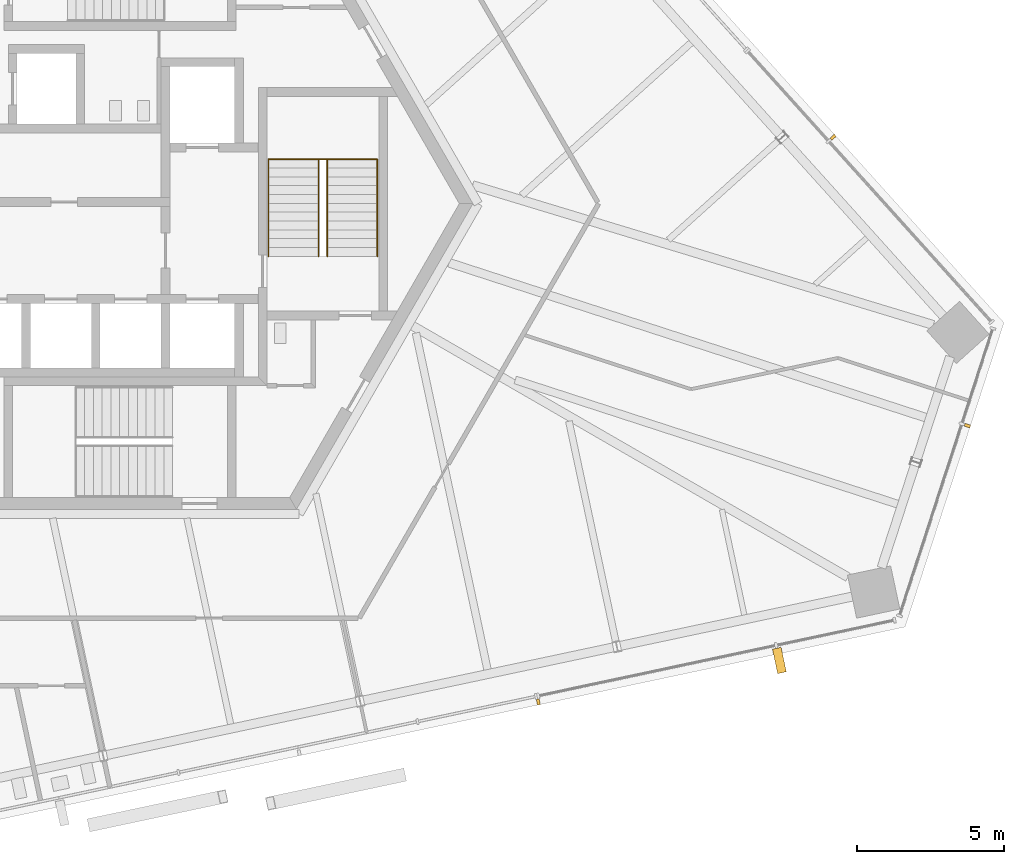
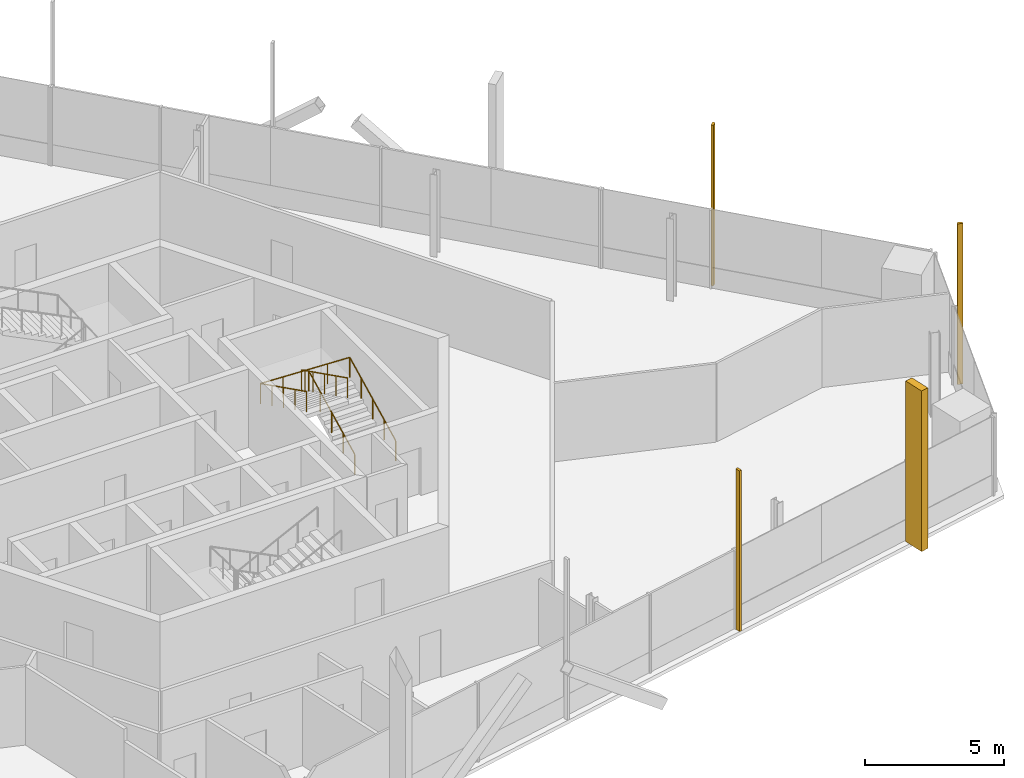
# One storey, part 15 of 17: 4 shading devices, 2 railings.
"""IFC4 building model written with IfcOpenShell, lengths in metres."""

from ifc_helpers import new_model, si_unit, direction, frame, origin, origin_2d, place, context, subcontext, project, spatial, rectangle, circle, extrude, source, transform, mapped, material, type_object, element, save


model = new_model("IFC4")

# Units and contexts
model_context = context("Model", 3, precision=1e-05, world=origin(), true_north=direction((0.0, 1.0)))
body_context = subcontext(model_context, "Body", "Model", "MODEL_VIEW")
ifc_project = project(units=[si_unit("LENGTHUNIT", "METRE"), si_unit("AREAUNIT", "SQUARE_METRE"), si_unit("VOLUMEUNIT", "CUBIC_METRE"), si_unit("PLANEANGLEUNIT", "RADIAN"), si_unit("MASSUNIT", "GRAM", prefix="KILO")], contexts=[model_context])

# Site, building, storey
site_placement = place(None, origin())
site = spatial("IfcSite", under=ifc_project, at=site_placement, CompositionType="ELEMENT")
building_placement = place(site_placement, origin())
building = spatial("IfcBuilding", under=site, at=building_placement, Name="Triune Harvest Tower", CompositionType="ELEMENT")
storey_placement = place(building_placement, frame((0.0, 0.0, 273.89990234375)))
storey = spatial("IfcBuildingStorey", under=building, at=storey_placement, Name="L72", CompositionType="ELEMENT", Elevation=273.89990234375)

# Railings
ifc_material_1 = material(Name="Stainless steel AISI 316", Category="steel")
railing_type = type_object("IfcRailingType", Name="Stair handrail", PredefinedType="HANDRAIL", material=ifc_material_1)
shared_shape_1 = source(origin(), body_context, "Body", "SweptSolid", [
    extrude(circle(Radius=0.02392578125, at=origin_2d()), frame((0.0, 0.0, 0.8759765625), z_axis=(0.0, 0.894440424912, 0.447187126696), x_axis=(-1.0, 0.0, 0.0)), (0.0, 0.0, 1.0), 3.689453125),
    extrude(circle(Radius=0.02392578125, at=origin_2d()), frame((0.0, 3.300048828125, 2.52587890625), z_axis=(-0.999177620331, 0.0, 0.040547293732), x_axis=(0.0, -1.0, 0.0)), (0.0, 0.0, 1.0), 3.702880859375),
    extrude(circle(Radius=0.02392578125, at=origin_2d()), frame((-3.699951171875, 3.300048828125, 2.67578125), z_axis=(0.0, -0.894440424912, 0.447187126696), x_axis=(1.0, 0.0, 0.0)), (0.0, 0.0, 1.0), 3.689453125),
    extrude(circle(Radius=0.02099609375, at=origin_2d()), origin(), (0.0, 0.0, 1.0), 0.851806640625),
    extrude(circle(Radius=0.02099609375, at=origin_2d()), frame((0.0, 0.824951171875, 0.41259765625)), (0.0, 0.0, 1.0), 0.851806640625),
    extrude(circle(Radius=0.02099609375, at=origin_2d()), frame((0.0, 1.64990234375, 0.824951171875)), (0.0, 0.0, 1.0), 0.851806640625),
    extrude(circle(Radius=0.02099609375, at=origin_2d()), frame((0.0, 2.47509765625, 1.2373046875)), (0.0, 0.0, 1.0), 0.851806640625),
    extrude(circle(Radius=0.02099609375, at=origin_2d()), frame((0.0, 3.300048828125, 1.64990234375)), (0.0, 0.0, 1.0), 0.851806640625),
    extrude(circle(Radius=0.02099609375, at=origin_2d()), frame((-0.925048828125, 3.300048828125, 1.6875)), (0.0, 0.0, 1.0), 0.851806640625),
    extrude(circle(Radius=0.02099609375, at=origin_2d()), frame((-1.85009765625, 3.300048828125, 1.72509765625)), (0.0, 0.0, 1.0), 0.851806640625),
    extrude(circle(Radius=0.02099609375, at=origin_2d()), frame((-2.77490234375, 3.300048828125, 1.762451171875)), (0.0, 0.0, 1.0), 0.851806640625),
    extrude(circle(Radius=0.02099609375, at=origin_2d()), frame((-3.699951171875, 3.300048828125, 1.800048828125)), (0.0, 0.0, 1.0), 0.851806640625),
    extrude(circle(Radius=0.02099609375, at=origin_2d()), frame((-3.699951171875, 2.47509765625, 2.21240234375)), (0.0, 0.0, 1.0), 0.851806640625),
    extrude(circle(Radius=0.02099609375, at=origin_2d()), frame((-3.699951171875, 1.64990234375, 2.625)), (0.0, 0.0, 1.0), 0.851806640625),
    extrude(circle(Radius=0.02099609375, at=origin_2d()), frame((-3.699951171875, 0.824951171875, 3.03759765625)), (0.0, 0.0, 1.0), 0.851806640625),
    extrude(circle(Radius=0.02099609375, at=origin_2d()), frame((-3.699951171875, 0.0, 3.449951171875)), (0.0, 0.0, 1.0), 0.851806640625),
])
railing_1_placement = place(storey_placement, frame((8.75, -1.7900390625, 0.150146484375)))
element("IfcRailing", 1, at=railing_1_placement, inside=storey, type_object=railing_type, Name="Exit stair east wall handrail", PredefinedType="HANDRAIL", context=body_context, shape_type="MappedRepresentation", body=[
    mapped(shared_shape_1, transform((0.0, 0.0, 0.0), scale=1.0)),
])
shared_shape_2 = source(origin(), body_context, "Body", "SweptSolid", [
    extrude(circle(Radius=0.02392578125, at=origin_2d()), frame((0.0, 0.0, 0.8759765625), z_axis=(0.0, 0.894440424912, 0.447187126696), x_axis=(-1.0, 0.0, 0.0)), (0.0, 0.0, 1.0), 3.689453125),
    extrude(circle(Radius=0.02392578125, at=origin_2d()), frame((0.0, 3.300048828125, 2.52587890625), z_axis=(-0.894281613681, 0.0, 0.447504631744), x_axis=(0.0, -1.0, 0.0)), (0.0, 0.0, 1.0), 0.33544921875),
    extrude(circle(Radius=0.02392578125, at=origin_2d()), frame((-0.300048828125, 3.300048828125, 2.67578125), z_axis=(0.0, -0.894440424912, 0.447187126696), x_axis=(1.0, 0.0, 0.0)), (0.0, 0.0, 1.0), 3.689453125),
    extrude(circle(Radius=0.02099609375, at=origin_2d()), origin(), (0.0, 0.0, 1.0), 0.851806640625),
    extrude(circle(Radius=0.02099609375, at=origin_2d()), frame((0.0, 0.824951171875, 0.41259765625)), (0.0, 0.0, 1.0), 0.851806640625),
    extrude(circle(Radius=0.02099609375, at=origin_2d()), frame((0.0, 1.64990234375, 0.824951171875)), (0.0, 0.0, 1.0), 0.851806640625),
    extrude(circle(Radius=0.02099609375, at=origin_2d()), frame((0.0, 2.47509765625, 1.2373046875)), (0.0, 0.0, 1.0), 0.851806640625),
    extrude(circle(Radius=0.02099609375, at=origin_2d()), frame((0.0, 3.300048828125, 1.64990234375)), (0.0, 0.0, 1.0), 0.851806640625),
    extrude(circle(Radius=0.02099609375, at=origin_2d()), frame((-0.300048828125, 3.300048828125, 1.800048828125)), (0.0, 0.0, 1.0), 0.851806640625),
    extrude(circle(Radius=0.02099609375, at=origin_2d()), frame((-0.300048828125, 2.47509765625, 2.21240234375)), (0.0, 0.0, 1.0), 0.851806640625),
    extrude(circle(Radius=0.02099609375, at=origin_2d()), frame((-0.300048828125, 1.64990234375, 2.625)), (0.0, 0.0, 1.0), 0.851806640625),
    extrude(circle(Radius=0.02099609375, at=origin_2d()), frame((-0.300048828125, 0.824951171875, 3.03759765625)), (0.0, 0.0, 1.0), 0.851806640625),
    extrude(circle(Radius=0.02099609375, at=origin_2d()), frame((-0.300048828125, 0.0, 3.449951171875)), (0.0, 0.0, 1.0), 0.851806640625),
])
railing_2_placement = place(storey_placement, frame((7.050048828125, -1.7900390625, 0.150146484375)))
element("IfcRailing", 2, at=railing_2_placement, inside=storey, type_object=railing_type, Name="Exit stair east centre handrail", PredefinedType="HANDRAIL", context=body_context, shape_type="MappedRepresentation", body=[
    mapped(shared_shape_2, transform((0.0, 0.0, 0.0), scale=1.0)),
])

# Shading devices
ifc_material_2 = material(Name="Aluminium bronze anodised", Category="aluminium")
shared_shape_3 = source(origin(), body_context, "Body", "SweptSolid", [
    extrude(rectangle(XDim=0.10009765625, YDim=0.199951171875, at=origin_2d()), origin(), (0.0, 0.0, 1.0), 7.0400390625),
])
for number, where, z_axis, x_axis, name in (
    (3, (24.246337890625, 2.2587890625, 0.0), (0.0, 0.0, 1.0), (-0.669131447108, 0.743144068463, 0.0), "FN-1 fin B7-F1.3 L72"),
    (4, (14.222900390625, -16.943115234375, 0.0), (0.0, 0.0, 1.0), (0.978147751834, 0.207910979944, 0.0), "FN-1 fin B7-F5.9 L72"),
    (5, (28.815185546875, -7.548095703125, 0.0), (0.0, 0.0, 1.0), (0.309018882717, 0.951055902733, 0.0), "FN-1 fin B7-F6.3 L72"),
):
    element("IfcShadingDevice", number, at=place(storey_placement, frame(where, z_axis=z_axis, x_axis=x_axis)), inside=storey, material=ifc_material_2, Name=name, ObjectType="FIN", PredefinedType="USERDEFINED", context=body_context, shape_type="MappedRepresentation", body=[
        mapped(shared_shape_3, transform((0.0, 0.0, 0.0), scale=1.0)),
    ])
shared_shape_4 = source(origin(), body_context, "Body", "SweptSolid", [
    extrude(rectangle(XDim=0.300048828125, YDim=0.85009765625, at=origin_2d()), origin(), (0.0, 0.0, 1.0), 7.0400390625),
])
shading_device_placement = place(storey_placement, frame((22.42041015625, -15.532958984375, 0.0), z_axis=(0.0, 0.0, 1.0), x_axis=(0.978147751834, 0.207910979944, 0.0)))
element("IfcShadingDevice", 6, at=shading_device_placement, inside=storey, material=ifc_material_2, Name="FN-2 fin B7-F5.11 L72", ObjectType="FIN", PredefinedType="USERDEFINED", context=body_context, shape_type="MappedRepresentation", body=[
    mapped(shared_shape_4, transform((0.0, 0.0, 0.0), scale=1.0)),
])

save(model, "model.ifc")
